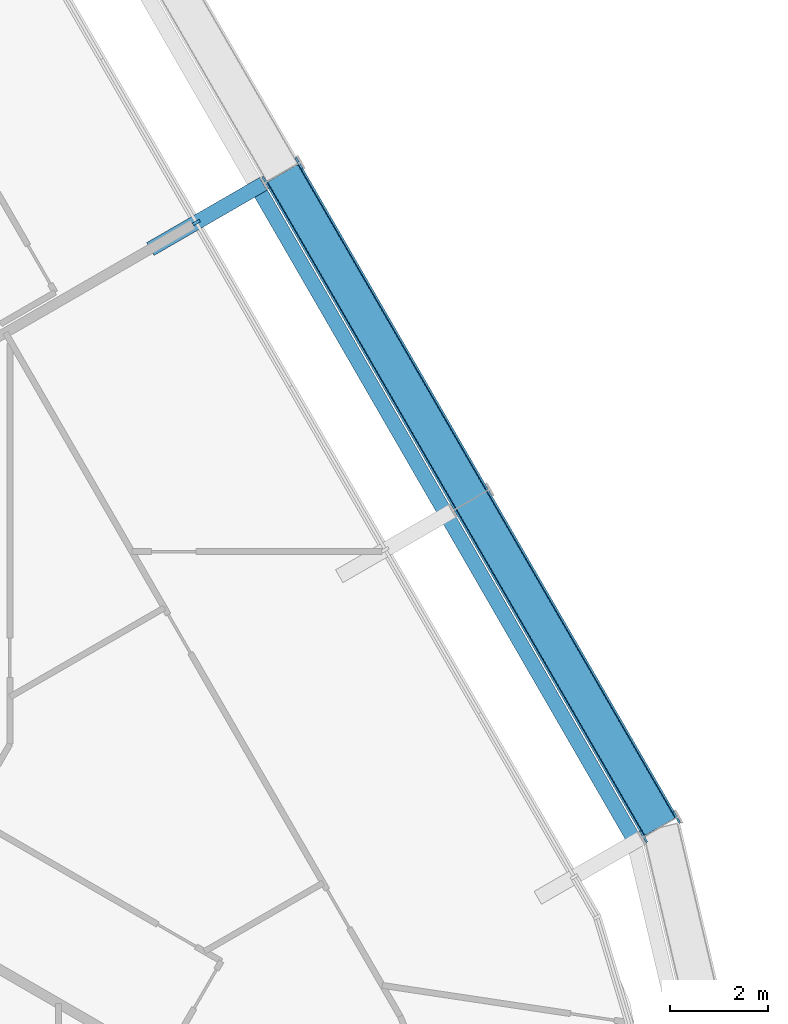
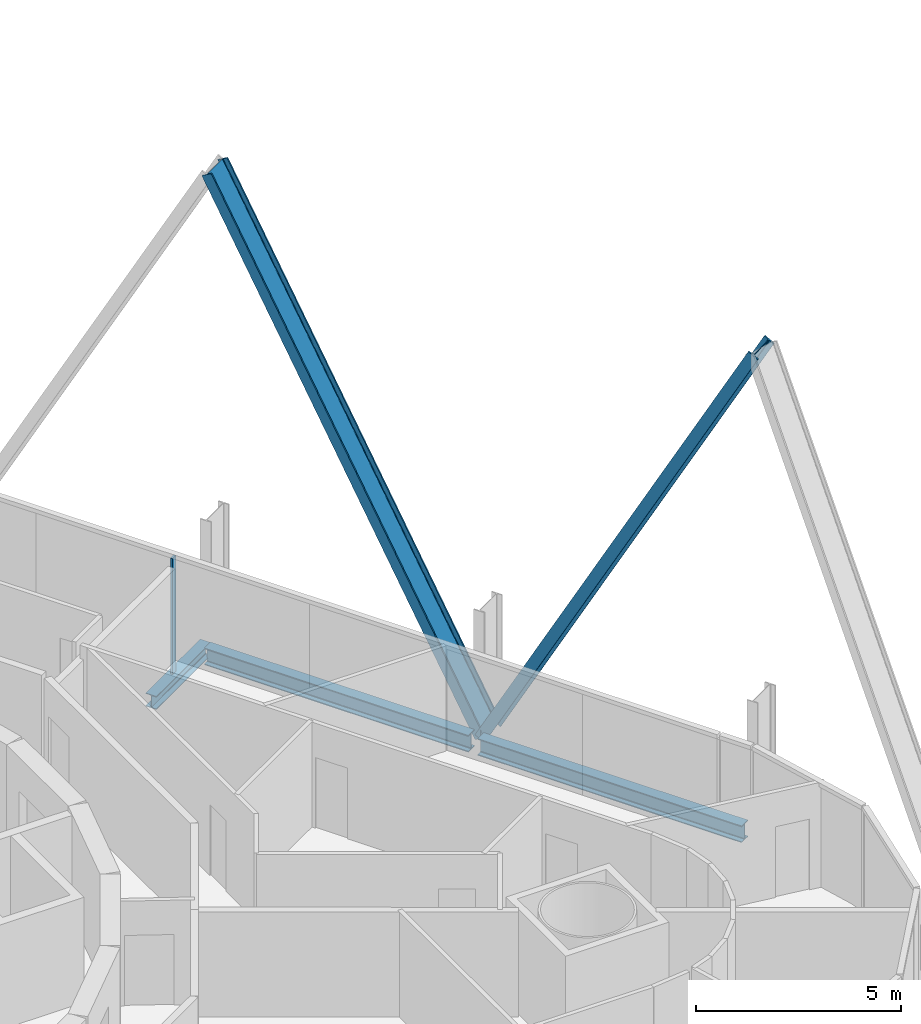
# One storey, part 9 of 21: 3 beams, 3 members, 1 element without a shape of its own.
"""IFC4 building model written with IfcOpenShell, lengths in metres."""

from ifc_helpers import new_model, si_unit, direction, frame, origin, origin_2d, place, context, subcontext, project, spatial, rectangle, i_section, extrude, material, layer, layer_set, material_profile, profile_set, type_object, element, aggregate, save


model = new_model("IFC4")

# Units and contexts
model_context = context("Model", 3, precision=1e-05, world=origin(), true_north=direction((0.0, 1.0)))
body_context = subcontext(model_context, "Body", "Model", "MODEL_VIEW")
ifc_project = project(units=[si_unit("LENGTHUNIT", "METRE"), si_unit("AREAUNIT", "SQUARE_METRE"), si_unit("VOLUMEUNIT", "CUBIC_METRE"), si_unit("PLANEANGLEUNIT", "RADIAN"), si_unit("MASSUNIT", "GRAM", prefix="KILO")], contexts=[model_context])

# Site, building, storey
site_placement = place(None, origin())
site = spatial("IfcSite", under=ifc_project, at=site_placement, CompositionType="ELEMENT")
building_placement = place(site_placement, origin())
building = spatial("IfcBuilding", under=site, at=building_placement, Name="Spindle Arch Residences", CompositionType="ELEMENT")
storey_placement = place(building_placement, frame((0.0, 0.0, 38.39990234375)))
storey = spatial("IfcBuildingStorey", under=building, at=storey_placement, Name="L07", CompositionType="ELEMENT", Elevation=38.39990234375)

# Curtain wall, member
ifc_material_1 = material(Name="Aluminium bronze unitised frame with tinted glass", Category="aluminium")
ifc_layer = layer(ifc_material_1, 0.159912109375)
ifc_layer_set = layer_set([ifc_layer], Name="CW-C typical residential unitised wall")
curtain_wall_type = type_object("IfcCurtainWallType", Name="CW-C typical residential unitised wall", PredefinedType="NOTDEFINED", material=ifc_layer_set)
curtain_wall_placement = place(storey_placement, origin())
curtain_wall = element("IfcCurtainWall", 1, at=curtain_wall_placement, inside=storey, type_object=curtain_wall_type, Name="CW-C L07 run 2", PredefinedType="NOTDEFINED")
ifc_material_2 = material(Name="Aluminium bronze anodised mullion", Category="aluminium")
ifc_material_profile_1 = material_profile(ifc_material_2, rectangle(XDim=0.159912109375, YDim=0.06005859375, at=origin_2d()), Name="MU 60x160")
ifc_profile_set_1 = profile_set([ifc_material_profile_1], Name="Aluminium bronze anodised mullion")
member_type_1 = type_object("IfcMemberType", Name="Bronze mullion 60x160", PredefinedType="MULLION", material=ifc_profile_set_1)
member_1_placement = place(storey_placement, frame((18.9892578125, 6.529296875, -0.449951171875), z_axis=(0.0, 0.0, 1.0), x_axis=(-0.866025403784, -0.5, 0.0)))
member_1 = element("IfcMember", 2, at=member_1_placement, type_object=member_type_1, Name="CW-C mullion 07", PredefinedType="MULLION", context=body_context, shape_type="SweptSolid", body=[
    extrude(rectangle(XDim=0.159912109375, YDim=0.06005859375, at=origin_2d()), origin(), (0.0, 0.0, 1.0), 3.449951171875),
])
aggregate(curtain_wall, [member_1])

# Members
ifc_material_3 = material(Name="Steel S460ML, intumescent coating R 240", Category="steel")
ifc_material_profile_2 = material_profile(ifc_material_3, i_section(OverallWidth=0.302978515625, OverallDepth=0.81396484375, WebThickness=0.02099609375, FlangeThickness=0.0400390625, FilletRadius=0.030029296875, at=origin_2d()), Name="HEM 800")
ifc_profile_set_2 = profile_set([ifc_material_profile_2], Name="Steel S460ML, intumescent coating R 240")
member_type_2 = type_object("IfcMemberType", Name="Diagrid diagonal HEM 800", PredefinedType="BRACE", material=ifc_profile_set_2)
member_2_placement = place(storey_placement, frame((24.57861328125, 0.88818359375, -0.699951171875), z_axis=(0.239561156011, -0.414925587972, 0.877751222714), x_axis=(-0.438880772287, 0.760151877386, 0.47911667788)))
element("IfcMember", 3, at=member_2_placement, inside=storey, type_object=member_type_2, Name="Diagrid diagonal 1.1.6", PredefinedType="BRACE", context=body_context, shape_type="SweptSolid", body=[
    extrude(i_section(OverallWidth=0.302978515625, OverallDepth=0.81396484375, WebThickness=0.02099609375, FlangeThickness=0.0400390625, FilletRadius=0.030029296875, at=origin_2d()), origin(), (0.0, 0.0, 1.0), 16.02978515625),
])
member_3_placement = place(storey_placement, frame((24.57861328125, 0.88818359375, -0.699951171875), z_axis=(-0.239546799467, 0.414927101849, 0.877754425233), x_axis=(0.438861446167, -0.760166733082, 0.479110810756)))
element("IfcMember", 4, at=member_3_placement, inside=storey, type_object=member_type_2, Name="Diagrid diagonal 1.1.7", PredefinedType="BRACE", context=body_context, shape_type="SweptSolid", body=[
    extrude(i_section(OverallWidth=0.302978515625, OverallDepth=0.81396484375, WebThickness=0.02099609375, FlangeThickness=0.0400390625, FilletRadius=0.030029296875, at=origin_2d()), origin(), (0.0, 0.0, 1.0), 16.029541015625),
])

# Beams
ifc_material_4 = material(Name="Steel S460ML, intumescent coating R 120", Category="steel")
ifc_material_profile_3 = material_profile(ifc_material_4, i_section(OverallWidth=0.300048828125, OverallDepth=0.5, WebThickness=0.014404296875, FlangeThickness=0.028076171875, FilletRadius=0.027099609375, at=origin_2d()), Name="HEB 500")
ifc_profile_set_3 = profile_set([ifc_material_profile_3], Name="Steel S460ML, intumescent coating R 120")
beam_type_1 = type_object("IfcBeamType", Name="Exoskeleton edge beam HEB 500", PredefinedType="BEAM", material=ifc_profile_set_3)
for number, where, z_axis, x_axis, name in (
    (5, (27.84521484375, -5.94384765625, -0.699951171875), (-0.49998923004, 0.866031621735, 0.0), (-0.866031621735, -0.49998923004, 0.0), "Exoskeleton edge beam 6"),
    (6, (24.00537109375, 0.707275390625, -0.699951171875), (-0.49998923004, 0.866031621735, 0.0), (-0.866031621735, -0.49998923004, 0.0), "Exoskeleton edge beam 7"),
):
    element("IfcBeam", number, at=place(storey_placement, frame(where, z_axis=z_axis, x_axis=x_axis)), inside=storey, type_object=beam_type_1, Name=name, PredefinedType="BEAM", context=body_context, shape_type="SweptSolid", body=[
        extrude(i_section(OverallWidth=0.300048828125, OverallDepth=0.5, WebThickness=0.014404296875, FlangeThickness=0.028076171875, FilletRadius=0.027099609375, at=origin_2d()), origin(), (0.0, 0.0, 1.0), 7.420166015625),
    ])
ifc_material_5 = material(Name="Steel S460ML, intumescent coating R 120", Category="steel")
ifc_material_profile_4 = material_profile(ifc_material_5, i_section(OverallWidth=0.300048828125, OverallDepth=0.389892578125, WebThickness=0.010986328125, FlangeThickness=0.01904296875, FilletRadius=0.027099609375, at=origin_2d()), Name="HEA 400")
ifc_profile_set_4 = profile_set([ifc_material_profile_4], Name="Steel S460ML, intumescent coating R 120")
beam_type_2 = type_object("IfcBeamType", Name="Floor outrigger HEA 400", PredefinedType="BEAM", material=ifc_profile_set_4)
beam_placement = place(storey_placement, frame((20.34912109375, 7.314453125, -0.64501953125), z_axis=(-0.866052124492, -0.499953715521, 0.0), x_axis=(0.499953715521, -0.866052124492, 0.0)))
element("IfcBeam", 7, at=beam_placement, inside=storey, type_object=beam_type_2, Name="Floor outrigger 8", PredefinedType="BEAM", context=body_context, shape_type="SweptSolid", body=[
    extrude(i_section(OverallWidth=0.300048828125, OverallDepth=0.389892578125, WebThickness=0.010986328125, FlangeThickness=0.01904296875, FilletRadius=0.027099609375, at=origin_2d()), origin(), (0.0, 0.0, 1.0), 2.650146484375),
])

save(model, "model.ifc")
